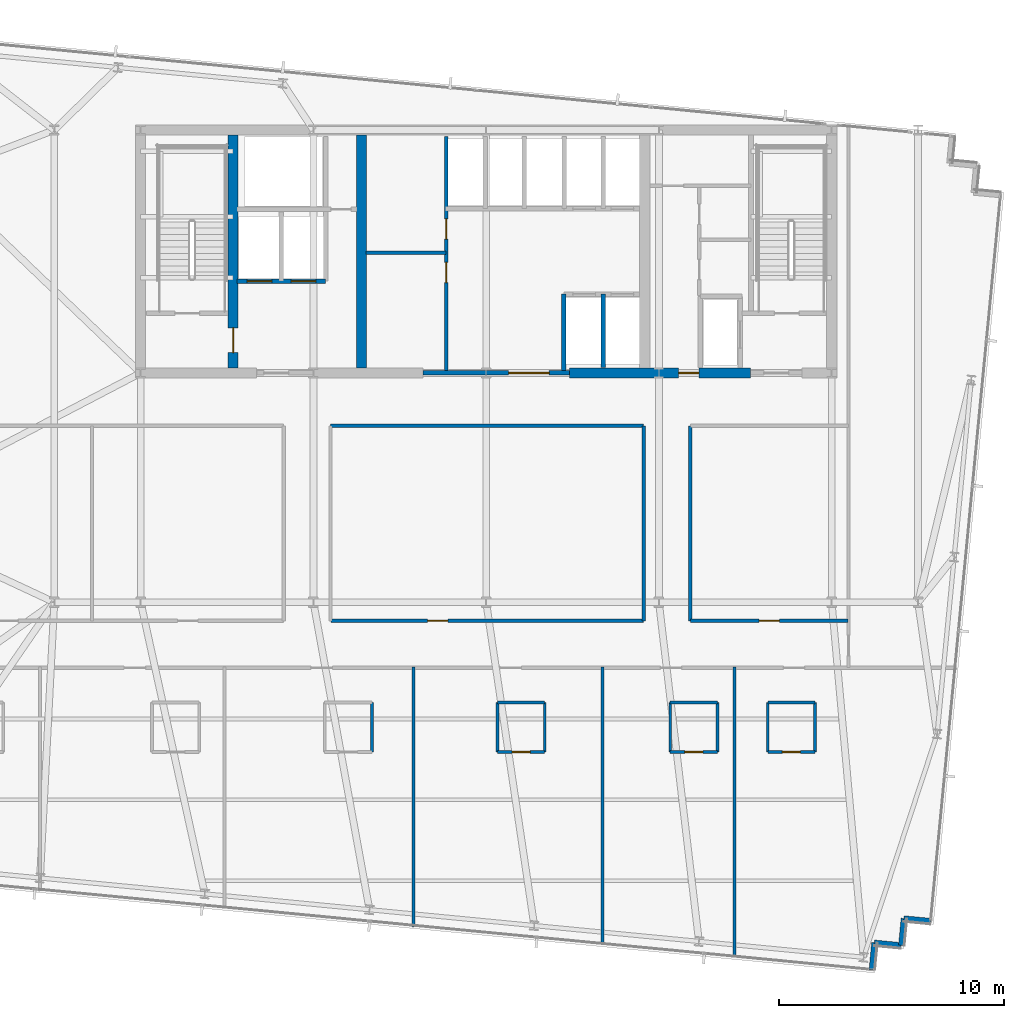
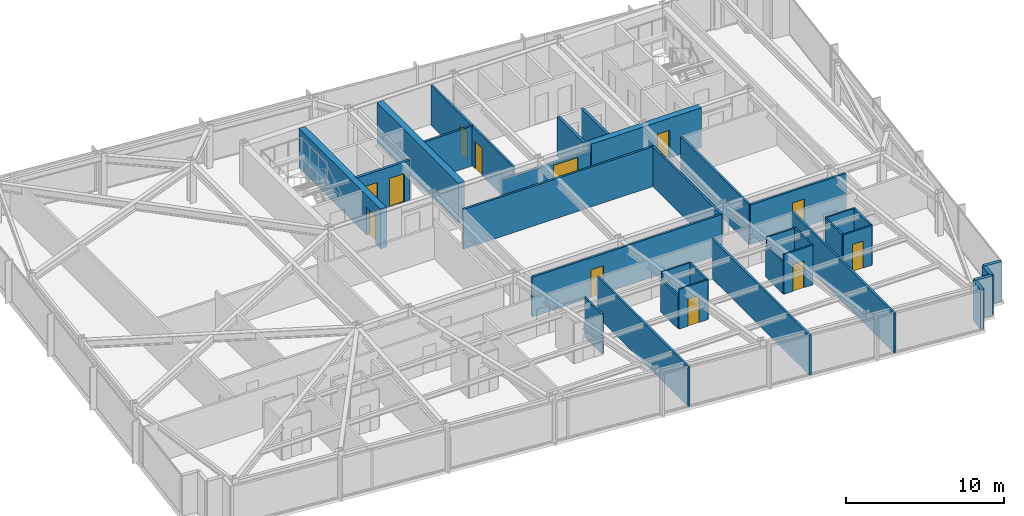
# One storey, part 30 of 37: 34 walls, 12 doors, 12 openings.
"""IFC4 building model written with IfcOpenShell, lengths in metres."""

from ifc_helpers import new_model, si_unit, direction, frame, frame_2d, origin, place, context, subcontext, project, spatial, rectangle, extrude, material, layer, layer_set, type_object, element, fill, save


model = new_model("IFC4")

# Units and contexts
model_context = context("Model", 3, precision=1e-05, world=origin(), true_north=direction((0.0, 1.0)))
body_context = subcontext(model_context, "Body", "Model", "MODEL_VIEW")
ifc_project = project(units=[si_unit("LENGTHUNIT", "METRE"), si_unit("AREAUNIT", "SQUARE_METRE"), si_unit("VOLUMEUNIT", "CUBIC_METRE"), si_unit("PLANEANGLEUNIT", "RADIAN"), si_unit("MASSUNIT", "GRAM", prefix="KILO")], contexts=[model_context])

# Site, building, storey
site_placement = place(None, origin())
site = spatial("IfcSite", under=ifc_project, at=site_placement, CompositionType="ELEMENT")
building_placement = place(site_placement, origin())
building = spatial("IfcBuilding", under=site, at=building_placement, Name="Yelkora Congress Tower", CompositionType="ELEMENT")
storey_placement = place(building_placement, frame((0.0, 0.0, 168.800048828125)))
storey = spatial("IfcBuildingStorey", under=building, at=storey_placement, Name="L46", CompositionType="ELEMENT", Elevation=168.800048828125)

# Wall, opening, door
ifc_material_1 = material(Name="Concrete C60/75", Category="concrete")
ifc_layer_1 = layer(ifc_material_1, 0.449951171875)
ifc_layer_set_1 = layer_set([ifc_layer_1], Name="Concrete C60/75")
wall_type_1 = type_object("IfcWallType", Name="WALL-CORE-INT-450", PredefinedType="SHEAR", material=ifc_layer_set_1)
wall_1_placement = place(storey_placement, frame((42.10009765625, 35.39990234375, 0.0), z_axis=(0.0, 0.0, 1.0), x_axis=(1.0, 0.0, 0.0)))
wall_1 = element("IfcWall", 1, at=wall_1_placement, inside=storey, type_object=wall_type_1, Name="L46 Rear Core South-East Shear Wall A", PredefinedType="SHEAR", context=body_context, shape_type="SweptSolid", body=[
    extrude(rectangle(XDim=8.0498046875, YDim=0.449951171875, at=frame_2d((4.02490234375, 0.0))), origin(), (0.0, 0.0, 1.0), 3.079833984375),
])
opening_1_placement = place(wall_1_placement, frame((4.85009765625, 0.0, 0.0)))
opening_1 = element("IfcOpeningElement", 2, at=opening_1_placement, cuts=wall_1, Name="Opening DR-090F6", PredefinedType="OPENING", context=body_context, shape_type="SweptSolid", body=[
    extrude(rectangle(XDim=0.89990234375, YDim=2.14990234375, at=frame_2d((0.449951171875, 1.074951171875))), frame((0.0, 0.23486328125, 0.0), z_axis=(0.0, -1.0, 0.0), x_axis=(1.0, 0.0, 0.0)), (0.0, 0.0, 1.0), 0.469970703125),
])
ifc_material_2 = material(Name="Painted steel riser fire door leaf", Category="steel")
door_type_1 = type_object("IfcDoorType", Name="DOOR-FD60-900", OperationType="NOTDEFINED", PredefinedType="DOOR", material=ifc_material_2)
door_1_placement = place(opening_1_placement, origin())
door_1 = element("IfcDoor", 3, at=door_1_placement, inside=storey, type_object=door_type_1, Name="L46 Core Washroom Lobby Door", OperationType="SINGLE_SWING_RIGHT", OverallHeight=2.14990234375, OverallWidth=0.89990234375, PredefinedType="DOOR", context=body_context, shape_type="SweptSolid", body=[
    extrude(rectangle(XDim=0.89990234375, YDim=2.14990234375, at=frame_2d((0.449951171875, 1.074951171875))), frame((0.0, 0.02490234375, 0.0), z_axis=(0.0, -1.0, 0.0), x_axis=(1.0, 0.0, 0.0)), (0.0, 0.0, 1.0), 0.050048828125),
])
fill(opening_1, door_1)

wall_2_placement = place(storey_placement, frame((27.14990234375, 35.625, 0.0), z_axis=(0.0, 0.0, 1.0), x_axis=(0.0, 1.0, 0.0)))
wall_2 = element("IfcWall", 4, at=wall_2_placement, inside=storey, type_object=wall_type_1, Name="L46 Rear Core Cross Shear Wall C1", PredefinedType="SHEAR", context=body_context, shape_type="SweptSolid", body=[
    extrude(rectangle(XDim=10.35009765625, YDim=0.449951171875, at=frame_2d((5.175048828125, 0.0))), origin(), (0.0, 0.0, 1.0), 3.079833984375),
])
opening_2_placement = place(wall_2_placement, frame((0.675048828125, 0.0, 0.0)))
opening_2 = element("IfcOpeningElement", 5, at=opening_2_placement, cuts=wall_2, Name="Opening DR-110F9", PredefinedType="OPENING", context=body_context, shape_type="SweptSolid", body=[
    extrude(rectangle(XDim=1.10009765625, YDim=2.14990234375, at=frame_2d((0.550048828125, 1.074951171875))), frame((0.0, 0.23486328125, 0.0), z_axis=(0.0, -1.0, 0.0), x_axis=(1.0, 0.0, 0.0)), (0.0, 0.0, 1.0), 0.469970703125),
])
ifc_material_3 = material(Name="Galvanised steel fire door leaf", Category="steel")
door_type_2 = type_object("IfcDoorType", Name="DOOR-FD90-1100", OperationType="NOTDEFINED", PredefinedType="DOOR", material=ifc_material_3)
door_2_placement = place(opening_2_placement, origin())
door_2 = element("IfcDoor", 6, at=door_2_placement, inside=storey, type_object=door_type_2, Name="L46 Firefighting Stair Transfer Door", OperationType="SINGLE_SWING_LEFT", OverallHeight=2.14990234375, OverallWidth=1.10009765625, PredefinedType="DOOR", context=body_context, shape_type="SweptSolid", body=[
    extrude(rectangle(XDim=1.10009765625, YDim=2.14990234375, at=frame_2d((0.550048828125, 1.074951171875))), frame((0.0, 0.02490234375, 0.0), z_axis=(0.0, -1.0, 0.0), x_axis=(1.0, 0.0, 0.0)), (0.0, 0.0, 1.0), 0.050048828125),
])
fill(opening_2, door_2)

# Walls
wall_3_placement = place(storey_placement, frame((32.85009765625, 35.625, 0.0), z_axis=(0.0, 0.0, 1.0), x_axis=(0.0, 1.0, 0.0)))
element("IfcWall", 7, at=wall_3_placement, inside=storey, type_object=wall_type_1, Name="L46 Rear Core Cross Shear Wall C2", PredefinedType="SHEAR", context=body_context, shape_type="SweptSolid", body=[
    extrude(rectangle(XDim=10.35009765625, YDim=0.449951171875, at=frame_2d((5.175048828125, 0.0))), origin(), (0.0, 0.0, 1.0), 3.079833984375),
])
ifc_material_4 = material(Name="Concrete C40/50", Category="concrete")
ifc_layer_2 = layer(ifc_material_4, 0.239990234375)
ifc_layer_set_2 = layer_set([ifc_layer_2], Name="Concrete C40/50")
wall_type_2 = type_object("IfcWallType", Name="WALL-EXT-LIMESTONE-240", PredefinedType="SOLIDWALL", material=ifc_layer_set_2)
wall_4_placement = place(storey_placement, frame((58.160400390625, 11.033203125, 0.0), z_axis=(0.0, 0.0, 1.0), x_axis=(-0.995398960025, 0.095817067274, 0.0)))
element("IfcWall", 8, at=wall_4_placement, inside=storey, type_object=wall_type_2, Name="L46 Serrated Corner Limestone Pier 16", PredefinedType="SOLIDWALL", context=body_context, shape_type="SweptSolid", body=[
    extrude(rectangle(XDim=1.2001953125, YDim=0.239990234375, at=frame_2d((0.60009765625, 0.0))), origin(), (0.0, 0.0, 1.0), 3.079833984375),
])
for number, where, z_axis, x_axis, name in (
    (9, (56.9658203125, 11.148193359375, 0.0), (0.0, 0.0, 1.0), (-0.095836473879, -0.995397091755, 0.0), "L46 Serrated Corner Limestone Pier 17"),
    (10, (56.850830078125, 9.953857421875, 0.0), (0.0, 0.0, 1.0), (-0.995397091755, 0.095836473879, 0.0), "L46 Serrated Corner Limestone Pier 18"),
):
    element("IfcWall", number, at=place(storey_placement, frame(where, z_axis=z_axis, x_axis=x_axis)), inside=storey, type_object=wall_type_2, Name=name, PredefinedType="SOLIDWALL", context=body_context, shape_type="SweptSolid", body=[
        extrude(rectangle(XDim=1.199951171875, YDim=0.239990234375, at=frame_2d((0.60009765625, 0.0))), origin(), (0.0, 0.0, 1.0), 3.079833984375),
    ])
wall_5_placement = place(storey_placement, frame((55.656494140625, 10.06884765625, 0.0), z_axis=(0.0, 0.0, 1.0), x_axis=(-0.095817067274, -0.995398960025, 0.0)))
element("IfcWall", 11, at=wall_5_placement, inside=storey, type_object=wall_type_2, Name="L46 Serrated Corner Limestone Pier 19", PredefinedType="SOLIDWALL", context=body_context, shape_type="SweptSolid", body=[
    extrude(rectangle(XDim=1.2001953125, YDim=0.239990234375, at=frame_2d((0.60009765625, 0.0))), origin(), (0.0, 0.0, 1.0), 3.079833984375),
])
ifc_material_5 = material(Name="Moisture-resistant gypsum partition", Category="gypsum")
ifc_layer_3 = layer(ifc_material_5, 0.1201171875)
ifc_layer_set_3 = layer_set([ifc_layer_3], Name="Moisture-resistant gypsum partition")
wall_type_3 = type_object("IfcWallType", Name="WALL-INT-120-NR", PredefinedType="PARTITIONING", material=ifc_layer_set_3)
wall_6_placement = place(storey_placement, frame((33.320068359375, 18.550048828125, 0.0), z_axis=(0.0, 0.0, 1.0), x_axis=(0.0, 1.0, 0.0)))
element("IfcWall", 12, at=wall_6_placement, inside=storey, type_object=wall_type_3, Name="L46 Partition Wall 43", PredefinedType="PARTITIONING", context=body_context, shape_type="SweptSolid", body=[
    extrude(rectangle(XDim=2.199951171875, YDim=0.1201171875, at=frame_2d((1.10009765625, 0.0))), origin(), (0.0, 0.0, 1.0), 3.079833984375),
])
wall_7_placement = place(storey_placement, frame((38.89990234375, 20.75, 0.0), z_axis=(0.0, 0.0, 1.0), x_axis=(1.0, 0.0, 0.0)))
element("IfcWall", 13, at=wall_7_placement, inside=storey, type_object=wall_type_3, Name="L46 Partition Wall 46", PredefinedType="PARTITIONING", context=body_context, shape_type="SweptSolid", body=[
    extrude(rectangle(XDim=2.10009765625, YDim=0.1201171875, at=frame_2d((1.050048828125, 0.0))), origin(), (0.0, 0.0, 1.0), 3.079833984375),
])
wall_8_placement = place(storey_placement, frame((38.89990234375, 18.550048828125, 0.0), z_axis=(0.0, 0.0, 1.0), x_axis=(0.0, 1.0, 0.0)))
element("IfcWall", 14, at=wall_8_placement, inside=storey, type_object=wall_type_3, Name="L46 Partition Wall 47", PredefinedType="PARTITIONING", context=body_context, shape_type="SweptSolid", body=[
    extrude(rectangle(XDim=2.199951171875, YDim=0.1201171875, at=frame_2d((1.10009765625, 0.0))), origin(), (0.0, 0.0, 1.0), 2.474853515625),
])
wall_9_placement = place(storey_placement, frame((41.0, 18.550048828125, 0.0), z_axis=(0.0, 0.0, 1.0), x_axis=(0.0, 1.0, 0.0)))
element("IfcWall", 15, at=wall_9_placement, inside=storey, type_object=wall_type_3, Name="L46 Partition Wall 48", PredefinedType="PARTITIONING", context=body_context, shape_type="SweptSolid", body=[
    extrude(rectangle(XDim=2.199951171875, YDim=0.1201171875, at=frame_2d((1.10009765625, 0.0))), origin(), (0.0, 0.0, 1.0), 3.079833984375),
])

# Wall, opening, door
wall_10_placement = place(storey_placement, frame((38.89990234375, 18.550048828125, 0.0), z_axis=(0.0, 0.0, 1.0), x_axis=(1.0, 0.0, 0.0)))
wall_10 = element("IfcWall", 16, at=wall_10_placement, inside=storey, type_object=wall_type_3, Name="L46 Partition Wall 49", PredefinedType="PARTITIONING", context=body_context, shape_type="SweptSolid", body=[
    extrude(rectangle(XDim=2.10009765625, YDim=0.1201171875, at=frame_2d((1.050048828125, 0.0))), origin(), (0.0, 0.0, 1.0), 3.079833984375),
])
opening_3_placement = place(wall_10_placement, frame((0.64990234375, 0.0, 0.0)))
opening_3 = element("IfcOpeningElement", 17, at=opening_3_placement, cuts=wall_10, Name="Opening DR-080B", PredefinedType="OPENING", context=body_context, shape_type="SweptSolid", body=[
    extrude(rectangle(XDim=0.800048828125, YDim=2.10009765625, at=frame_2d((0.39990234375, 1.050048828125))), frame((0.0, 0.070068359375, 0.0), z_axis=(0.0, -1.0, 0.0), x_axis=(1.0, 0.0, 0.0)), (0.0, 0.0, 1.0), 0.14013671875),
])
ifc_material_6 = material(Name="Moisture-sealed en-suite timber door", Category="wood")
door_type_3 = type_object("IfcDoorType", Name="DOOR-BATH-800", OperationType="NOTDEFINED", PredefinedType="DOOR", material=ifc_material_6)
door_3_placement = place(opening_3_placement, origin())
door_3 = element("IfcDoor", 18, at=door_3_placement, inside=storey, type_object=door_type_3, Name="L46 En-suite Door 5", OperationType="SINGLE_SWING_LEFT", OverallHeight=2.10009765625, OverallWidth=0.800048828125, PredefinedType="DOOR", context=body_context, shape_type="SweptSolid", body=[
    extrude(rectangle(XDim=0.800048828125, YDim=2.10009765625, at=frame_2d((0.39990234375, 1.050048828125))), frame((0.0, 0.02490234375, 0.0), z_axis=(0.0, -1.0, 0.0), x_axis=(1.0, 0.0, 0.0)), (0.0, 0.0, 1.0), 0.050048828125),
])
fill(opening_3, door_3)

# Walls
wall_11_placement = place(storey_placement, frame((46.580078125, 20.75, 0.0), z_axis=(0.0, 0.0, 1.0), x_axis=(1.0, 0.0, 0.0)))
element("IfcWall", 19, at=wall_11_placement, inside=storey, type_object=wall_type_3, Name="L46 Partition Wall 51", PredefinedType="PARTITIONING", context=body_context, shape_type="SweptSolid", body=[
    extrude(rectangle(XDim=2.099853515625, YDim=0.1201171875, at=frame_2d((1.0498046875, 0.0))), origin(), (0.0, 0.0, 1.0), 3.079833984375),
])
wall_12_placement = place(storey_placement, frame((46.580078125, 18.550048828125, 0.0), z_axis=(0.0, 0.0, 1.0), x_axis=(0.0, 1.0, 0.0)))
element("IfcWall", 20, at=wall_12_placement, inside=storey, type_object=wall_type_3, Name="L46 Partition Wall 52", PredefinedType="PARTITIONING", context=body_context, shape_type="SweptSolid", body=[
    extrude(rectangle(XDim=2.199951171875, YDim=0.1201171875, at=frame_2d((1.10009765625, 0.0))), origin(), (0.0, 0.0, 1.0), 2.474853515625),
])
wall_13_placement = place(storey_placement, frame((48.679931640625, 18.550048828125, 0.0), z_axis=(0.0, 0.0, 1.0), x_axis=(0.0, 1.0, 0.0)))
element("IfcWall", 21, at=wall_13_placement, inside=storey, type_object=wall_type_3, Name="L46 Partition Wall 53", PredefinedType="PARTITIONING", context=body_context, shape_type="SweptSolid", body=[
    extrude(rectangle(XDim=2.199951171875, YDim=0.1201171875, at=frame_2d((1.10009765625, 0.0))), origin(), (0.0, 0.0, 1.0), 3.079833984375),
])

# Wall, opening, door
wall_14_placement = place(storey_placement, frame((46.580078125, 18.550048828125, 0.0), z_axis=(0.0, 0.0, 1.0), x_axis=(1.0, 0.0, 0.0)))
wall_14 = element("IfcWall", 22, at=wall_14_placement, inside=storey, type_object=wall_type_3, Name="L46 Partition Wall 54", PredefinedType="PARTITIONING", context=body_context, shape_type="SweptSolid", body=[
    extrude(rectangle(XDim=2.099853515625, YDim=0.1201171875, at=frame_2d((1.0498046875, 0.0))), origin(), (0.0, 0.0, 1.0), 3.079833984375),
])
opening_4_placement = place(wall_14_placement, frame((0.64990234375, 0.0, 0.0)))
opening_4 = element("IfcOpeningElement", 23, at=opening_4_placement, cuts=wall_14, Name="Opening DR-080B", PredefinedType="OPENING", context=body_context, shape_type="SweptSolid", body=[
    extrude(rectangle(XDim=0.800048828125, YDim=2.10009765625, at=frame_2d((0.39990234375, 1.050048828125))), frame((0.0, 0.070068359375, 0.0), z_axis=(0.0, -1.0, 0.0), x_axis=(1.0, 0.0, 0.0)), (0.0, 0.0, 1.0), 0.14013671875),
])
door_4_placement = place(opening_4_placement, origin())
door_4 = element("IfcDoor", 24, at=door_4_placement, inside=storey, type_object=door_type_3, Name="L46 En-suite Door 6", OperationType="SINGLE_SWING_RIGHT", OverallHeight=2.10009765625, OverallWidth=0.800048828125, PredefinedType="DOOR", context=body_context, shape_type="SweptSolid", body=[
    extrude(rectangle(XDim=0.800048828125, YDim=2.10009765625, at=frame_2d((0.39990234375, 1.050048828125))), frame((0.0, 0.02490234375, 0.0), z_axis=(0.0, -1.0, 0.0), x_axis=(1.0, 0.0, 0.0)), (0.0, 0.0, 1.0), 0.050048828125),
])
fill(opening_4, door_4)

# Walls
wall_15_placement = place(storey_placement, frame((50.922119140625, 20.75, 0.0), z_axis=(0.0, 0.0, 1.0), x_axis=(1.0, 0.0, 0.0)))
element("IfcWall", 25, at=wall_15_placement, inside=storey, type_object=wall_type_3, Name="L46 Partition Wall 56", PredefinedType="PARTITIONING", context=body_context, shape_type="SweptSolid", body=[
    extrude(rectangle(XDim=2.099853515625, YDim=0.1201171875, at=frame_2d((1.0498046875, 0.0))), origin(), (0.0, 0.0, 1.0), 3.079833984375),
])
for number, where, z_axis, x_axis, name in (
    (26, (50.922119140625, 18.550048828125, 0.0), (0.0, 0.0, 1.0), (0.0, 1.0, 0.0), "L46 Partition Wall 57"),
    (27, (53.02197265625, 18.550048828125, 0.0), (0.0, 0.0, 1.0), (0.0, 1.0, 0.0), "L46 Partition Wall 58"),
):
    element("IfcWall", number, at=place(storey_placement, frame(where, z_axis=z_axis, x_axis=x_axis)), inside=storey, type_object=wall_type_3, Name=name, PredefinedType="PARTITIONING", context=body_context, shape_type="SweptSolid", body=[
        extrude(rectangle(XDim=2.199951171875, YDim=0.1201171875, at=frame_2d((1.10009765625, 0.0))), origin(), (0.0, 0.0, 1.0), 3.079833984375),
    ])

# Wall, opening, door
wall_16_placement = place(storey_placement, frame((50.922119140625, 18.550048828125, 0.0), z_axis=(0.0, 0.0, 1.0), x_axis=(1.0, 0.0, 0.0)))
wall_16 = element("IfcWall", 28, at=wall_16_placement, inside=storey, type_object=wall_type_3, Name="L46 Partition Wall 59", PredefinedType="PARTITIONING", context=body_context, shape_type="SweptSolid", body=[
    extrude(rectangle(XDim=2.099853515625, YDim=0.1201171875, at=frame_2d((1.0498046875, 0.0))), origin(), (0.0, 0.0, 1.0), 3.079833984375),
])
opening_5_placement = place(wall_16_placement, frame((0.64990234375, 0.0, 0.0)))
opening_5 = element("IfcOpeningElement", 29, at=opening_5_placement, cuts=wall_16, Name="Opening DR-080B", PredefinedType="OPENING", context=body_context, shape_type="SweptSolid", body=[
    extrude(rectangle(XDim=0.800048828125, YDim=2.10009765625, at=frame_2d((0.39990234375, 1.050048828125))), frame((0.0, 0.070068359375, 0.0), z_axis=(0.0, -1.0, 0.0), x_axis=(1.0, 0.0, 0.0)), (0.0, 0.0, 1.0), 0.14013671875),
])
door_5_placement = place(opening_5_placement, origin())
door_5 = element("IfcDoor", 30, at=door_5_placement, inside=storey, type_object=door_type_3, Name="L46 En-suite Door 7", OperationType="SINGLE_SWING_LEFT", OverallHeight=2.10009765625, OverallWidth=0.800048828125, PredefinedType="DOOR", context=body_context, shape_type="SweptSolid", body=[
    extrude(rectangle(XDim=0.800048828125, YDim=2.10009765625, at=frame_2d((0.39990234375, 1.050048828125))), frame((0.0, 0.02490234375, 0.0), z_axis=(0.0, -1.0, 0.0), x_axis=(1.0, 0.0, 0.0)), (0.0, 0.0, 1.0), 0.050048828125),
])
fill(opening_5, door_5)

# Walls
ifc_material_7 = material(Name="Acoustic metal-stud gypsum partition", Category="gypsum")
ifc_layer_4 = layer(ifc_material_7, 0.14990234375)
ifc_layer_set_4 = layer_set([ifc_layer_4], Name="Acoustic metal-stud gypsum partition")
wall_type_4 = type_object("IfcWallType", Name="WALL-INT-150-NR", PredefinedType="PARTITIONING", material=ifc_layer_set_4)
for number, where, z_axis, x_axis, name in (
    (31, (45.39990234375, 24.3798828125, 0.0), (0.0, 0.0, 1.0), (0.0, 1.0, 0.0), "L46 Partition Wall 66"),
    (32, (47.47998046875, 24.3798828125, 0.0), (0.0, 0.0, 1.0), (0.0, 1.0, 0.0), "L46 Partition Wall 67"),
):
    element("IfcWall", number, at=place(storey_placement, frame(where, z_axis=z_axis, x_axis=x_axis)), inside=storey, type_object=wall_type_4, Name=name, PredefinedType="PARTITIONING", context=body_context, shape_type="SweptSolid", body=[
        extrude(rectangle(XDim=8.670166015625, YDim=0.14990234375, at=frame_2d((4.3349609375, 0.0))), origin(), (0.0, 0.0, 1.0), 3.079833984375),
    ])
wall_17_placement = place(storey_placement, frame((31.47998046875, 33.050048828125, 0.0), z_axis=(0.0, 0.0, 1.0), x_axis=(1.0, 0.0, 0.0)))
element("IfcWall", 33, at=wall_17_placement, inside=storey, type_object=wall_type_4, Name="L46 Partition Wall 69", PredefinedType="PARTITIONING", context=body_context, shape_type="SweptSolid", body=[
    extrude(rectangle(XDim=13.919921875, YDim=0.14990234375, at=frame_2d((6.9599609375, 0.0))), origin(), (0.0, 0.0, 1.0), 3.079833984375),
])

# Wall, opening, door
wall_18_placement = place(storey_placement, frame((31.489990234375, 24.3798828125, 0.0), z_axis=(0.0, 0.0, 1.0), x_axis=(1.0, 0.0, 0.0)))
wall_18 = element("IfcWall", 34, at=wall_18_placement, inside=storey, type_object=wall_type_4, Name="L46 Partition Wall 74", PredefinedType="PARTITIONING", context=body_context, shape_type="SweptSolid", body=[
    extrude(rectangle(XDim=13.89990234375, YDim=0.14990234375, at=frame_2d((6.949951171875, 0.0))), origin(), (0.0, 0.0, 1.0), 3.079833984375),
])
opening_6_placement = place(wall_18_placement, frame((4.306396484375, 0.0, 0.0)))
opening_6 = element("IfcOpeningElement", 35, at=opening_6_placement, cuts=wall_18, Name="Opening DR-090N", PredefinedType="OPENING", context=body_context, shape_type="SweptSolid", body=[
    extrude(rectangle(XDim=0.89990234375, YDim=2.14990234375, at=frame_2d((0.449951171875, 1.074951171875))), frame((0.0, 0.0849609375, 0.0), z_axis=(0.0, -1.0, 0.0), x_axis=(1.0, 0.0, 0.0)), (0.0, 0.0, 1.0), 0.169921875),
])
ifc_material_8 = material(Name="Moisture-resistant laminate door leaf", Category="wood")
door_type_4 = type_object("IfcDoorType", Name="DOOR-INT-900", OperationType="NOTDEFINED", PredefinedType="DOOR", material=ifc_material_8)
door_6_placement = place(opening_6_placement, origin())
door_6 = element("IfcDoor", 36, at=door_6_placement, inside=storey, type_object=door_type_4, Name="L46 Diplomatic Day Lounge Door", OperationType="SINGLE_SWING_RIGHT", OverallHeight=2.14990234375, OverallWidth=0.89990234375, PredefinedType="DOOR", context=body_context, shape_type="SweptSolid", body=[
    extrude(rectangle(XDim=0.89990234375, YDim=2.14990234375, at=frame_2d((0.449951171875, 1.074951171875))), frame((0.0, 0.02490234375, 0.0), z_axis=(0.0, -1.0, 0.0), x_axis=(1.0, 0.0, 0.0)), (0.0, 0.0, 1.0), 0.050048828125),
])
fill(opening_6, door_6)

wall_19_placement = place(storey_placement, frame((47.489990234375, 24.3798828125, 0.0), z_axis=(0.0, 0.0, 1.0), x_axis=(1.0, 0.0, 0.0)))
wall_19 = element("IfcWall", 37, at=wall_19_placement, inside=storey, type_object=wall_type_4, Name="L46 Partition Wall 75", PredefinedType="PARTITIONING", context=body_context, shape_type="SweptSolid", body=[
    extrude(rectangle(XDim=6.99609375, YDim=0.14990234375, at=frame_2d((3.498046875, 0.0))), origin(), (0.0, 0.0, 1.0), 3.079833984375),
])
opening_7_placement = place(wall_19_placement, frame((3.048095703125, 0.0, 0.0)))
opening_7 = element("IfcOpeningElement", 38, at=opening_7_placement, cuts=wall_19, Name="Opening DR-090N", PredefinedType="OPENING", context=body_context, shape_type="SweptSolid", body=[
    extrude(rectangle(XDim=0.89990234375, YDim=2.14990234375, at=frame_2d((0.449951171875, 1.074951171875))), frame((0.0, 0.0849609375, 0.0), z_axis=(0.0, -1.0, 0.0), x_axis=(1.0, 0.0, 0.0)), (0.0, 0.0, 1.0), 0.169921875),
])
door_7_placement = place(opening_7_placement, origin())
door_7 = element("IfcDoor", 39, at=door_7_placement, inside=storey, type_object=door_type_4, Name="L46 First-Aid Treatment Room Door", OperationType="SINGLE_SWING_LEFT", OverallHeight=2.14990234375, OverallWidth=0.89990234375, PredefinedType="DOOR", context=body_context, shape_type="SweptSolid", body=[
    extrude(rectangle(XDim=0.89990234375, YDim=2.14990234375, at=frame_2d((0.449951171875, 1.074951171875))), frame((0.0, 0.02490234375, 0.0), z_axis=(0.0, -1.0, 0.0), x_axis=(1.0, 0.0, 0.0)), (0.0, 0.0, 1.0), 0.050048828125),
])
fill(opening_7, door_7)

# Wall
ifc_material_9 = material(Name="Twin-stud fire-rated gypsum partition", Category="gypsum")
ifc_layer_5 = layer(ifc_material_9, 0.14990234375)
ifc_layer_set_5 = layer_set([ifc_layer_5], Name="Twin-stud fire-rated gypsum partition")
wall_type_5 = type_object("IfcWallType", Name="WALL-INT-150-R60", PredefinedType="PARTITIONING", material=ifc_layer_set_5)
wall_20_placement = place(storey_placement, frame((33.050048828125, 40.75, 0.0), z_axis=(0.0, 0.0, 1.0), x_axis=(1.0, 0.0, 0.0)))
element("IfcWall", 40, at=wall_20_placement, inside=storey, type_object=wall_type_5, Name="L46 Partition Wall 11", PredefinedType="PARTITIONING", context=body_context, shape_type="SweptSolid", body=[
    extrude(rectangle(XDim=3.570068359375, YDim=0.14990234375, at=frame_2d((1.78515625, 0.0))), origin(), (0.0, 0.0, 1.0), 3.079833984375),
])

# Wall, openings, doors
wall_21_placement = place(storey_placement, frame((36.6201171875, 35.5, 0.0), z_axis=(0.0, 0.0, 1.0), x_axis=(0.0, 1.0, 0.0)))
wall_21 = element("IfcWall", 41, at=wall_21_placement, inside=storey, type_object=wall_type_5, Name="L46 Partition Wall 12", PredefinedType="PARTITIONING", context=body_context, shape_type="SweptSolid", body=[
    extrude(rectangle(XDim=10.419921875, YDim=0.14990234375, at=frame_2d((5.2099609375, 0.0))), origin(), (0.0, 0.0, 1.0), 3.079833984375),
])
opening_8_placement = place(wall_21_placement, frame((3.919921875, 0.0, 0.0)))
opening_8 = element("IfcOpeningElement", 42, at=opening_8_placement, cuts=wall_21, Name="Opening DR-090F6", PredefinedType="OPENING", context=body_context, shape_type="SweptSolid", body=[
    extrude(rectangle(XDim=0.89990234375, YDim=2.14990234375, at=frame_2d((0.449951171875, 1.074951171875))), frame((0.0, 0.0849609375, 0.0), z_axis=(0.0, -1.0, 0.0), x_axis=(1.0, 0.0, 0.0)), (0.0, 0.0, 1.0), 0.169921875),
])
opening_9_placement = place(wall_21_placement, frame((5.85009765625, 0.0, 0.0)))
opening_9 = element("IfcOpeningElement", 43, at=opening_9_placement, cuts=wall_21, Name="Opening DR-090F6", PredefinedType="OPENING", context=body_context, shape_type="SweptSolid", body=[
    extrude(rectangle(XDim=0.89990234375, YDim=2.14990234375, at=frame_2d((0.449951171875, 1.074951171875))), frame((0.0, 0.0849609375, 0.0), z_axis=(0.0, -1.0, 0.0), x_axis=(1.0, 0.0, 0.0)), (0.0, 0.0, 1.0), 0.169921875),
])
door_8_placement = place(opening_8_placement, origin())
door_8 = element("IfcDoor", 44, at=door_8_placement, inside=storey, type_object=door_type_1, Name="L46 Telecom Store Door", OperationType="SINGLE_SWING_LEFT", OverallHeight=2.14990234375, OverallWidth=0.89990234375, PredefinedType="DOOR", context=body_context, shape_type="SweptSolid", body=[
    extrude(rectangle(XDim=0.89990234375, YDim=2.14990234375, at=frame_2d((0.449951171875, 1.074951171875))), frame((0.0, 0.02490234375, 0.0), z_axis=(0.0, -1.0, 0.0), x_axis=(1.0, 0.0, 0.0)), (0.0, 0.0, 1.0), 0.050048828125),
])
fill(opening_8, door_8)
door_9_placement = place(opening_9_placement, origin())
door_9 = element("IfcDoor", 45, at=door_9_placement, inside=storey, type_object=door_type_1, Name="L46 Archive Store Door", OperationType="SINGLE_SWING_RIGHT", OverallHeight=2.14990234375, OverallWidth=0.89990234375, PredefinedType="DOOR", context=body_context, shape_type="SweptSolid", body=[
    extrude(rectangle(XDim=0.89990234375, YDim=2.14990234375, at=frame_2d((0.449951171875, 1.074951171875))), frame((0.0, 0.02490234375, 0.0), z_axis=(0.0, -1.0, 0.0), x_axis=(1.0, 0.0, 0.0)), (0.0, 0.0, 1.0), 0.050048828125),
])
fill(opening_9, door_9)

# Walls
wall_22_placement = place(storey_placement, frame((35.1689453125, 10.775634765625, 0.0), z_axis=(0.0, 0.0, 1.0), x_axis=(0.0, 1.0, 0.0)))
element("IfcWall", 46, at=wall_22_placement, inside=storey, type_object=wall_type_5, Name="L46 Partition Wall 50", PredefinedType="PARTITIONING", context=body_context, shape_type="SweptSolid", body=[
    extrude(rectangle(XDim=11.54443359375, YDim=0.14990234375, at=frame_2d((5.772216796875, 0.0))), origin(), (0.0, 0.0, 1.0), 3.079833984375),
])
wall_23_placement = place(storey_placement, frame((43.570068359375, 9.966796875, 0.0), z_axis=(0.0, 0.0, 1.0), x_axis=(0.0, 1.0, 0.0)))
element("IfcWall", 47, at=wall_23_placement, inside=storey, type_object=wall_type_5, Name="L46 Partition Wall 55", PredefinedType="PARTITIONING", context=body_context, shape_type="SweptSolid", body=[
    extrude(rectangle(XDim=12.353271484375, YDim=0.14990234375, at=frame_2d((6.1767578125, 0.0))), origin(), (0.0, 0.0, 1.0), 3.079833984375),
])
wall_24_placement = place(storey_placement, frame((49.43798828125, 9.401611328125, 0.0), z_axis=(0.0, 0.0, 1.0), x_axis=(0.0, 1.0, 0.0)))
element("IfcWall", 48, at=wall_24_placement, inside=storey, type_object=wall_type_5, Name="L46 Partition Wall 60", PredefinedType="PARTITIONING", context=body_context, shape_type="SweptSolid", body=[
    extrude(rectangle(XDim=12.91845703125, YDim=0.14990234375, at=frame_2d((6.459228515625, 0.0))), origin(), (0.0, 0.0, 1.0), 3.079833984375),
])

# Wall, openings, doors
ifc_material_10 = material(Name="Autoclaved aerated concrete blockwork", Category="masonry")
ifc_layer_6 = layer(ifc_material_10, 0.199951171875)
ifc_layer_set_6 = layer_set([ifc_layer_6], Name="Autoclaved aerated concrete blockwork")
wall_type_6 = type_object("IfcWallType", Name="WALL-INT-200-R120", PredefinedType="PARTITIONING", material=ifc_layer_set_6)
wall_25_placement = place(storey_placement, frame((27.320068359375, 39.47998046875, 0.0), z_axis=(0.0, 0.0, 1.0), x_axis=(1.0, 0.0, 0.0)))
wall_25 = element("IfcWall", 49, at=wall_25_placement, inside=storey, type_object=wall_type_6, Name="L46 Firefighting Lift Front Wall", PredefinedType="PARTITIONING", context=body_context, shape_type="SweptSolid", body=[
    extrude(rectangle(XDim=3.93994140625, YDim=0.199951171875, at=frame_2d((1.969970703125, 0.0))), origin(), (0.0, 0.0, 1.0), 3.079833984375),
])
opening_10_placement = place(wall_25_placement, frame((0.449951171875, 0.0, 0.0)))
opening_10 = element("IfcOpeningElement", 50, at=opening_10_placement, cuts=wall_25, Name="Opening LD-FF11", PredefinedType="OPENING", context=body_context, shape_type="SweptSolid", body=[
    extrude(rectangle(XDim=1.10009765625, YDim=2.199951171875, at=frame_2d((0.550048828125, 1.10009765625))), frame((0.0, 0.10986328125, 0.0), z_axis=(0.0, -1.0, 0.0), x_axis=(1.0, 0.0, 0.0)), (0.0, 0.0, 1.0), 0.219970703125),
])
opening_11_placement = place(wall_25_placement, frame((2.409912109375, 0.0, 0.0)))
opening_11 = element("IfcOpeningElement", 51, at=opening_11_placement, cuts=wall_25, Name="Opening LD-FF11", PredefinedType="OPENING", context=body_context, shape_type="SweptSolid", body=[
    extrude(rectangle(XDim=1.10009765625, YDim=2.199951171875, at=frame_2d((0.550048828125, 1.10009765625))), frame((0.0, 0.10986328125, 0.0), z_axis=(0.0, -1.0, 0.0), x_axis=(1.0, 0.0, 0.0)), (0.0, 0.0, 1.0), 0.219970703125),
])
ifc_material_11 = material(Name="Brushed stainless steel 316L landing door", Category="steel")
door_type_5 = type_object("IfcDoorType", Name="DOOR-LIFT-FF-1100", OperationType="DOUBLE_DOOR_SLIDING", PredefinedType="DOOR", material=ifc_material_11)
door_10_placement = place(opening_10_placement, origin())
door_10 = element("IfcDoor", 52, at=door_10_placement, inside=storey, type_object=door_type_5, Name="Lift Landing Door LF-FF1 L46", OperationType="DOUBLE_DOOR_SLIDING", OverallHeight=2.199951171875, OverallWidth=1.10009765625, PredefinedType="DOOR", context=body_context, shape_type="SweptSolid", body=[
    extrude(rectangle(XDim=1.10009765625, YDim=2.199951171875, at=frame_2d((0.550048828125, 1.10009765625))), frame((0.0, 0.02490234375, 0.0), z_axis=(0.0, -1.0, 0.0), x_axis=(1.0, 0.0, 0.0)), (0.0, 0.0, 1.0), 0.050048828125),
])
fill(opening_10, door_10)
door_11_placement = place(opening_11_placement, origin())
door_11 = element("IfcDoor", 53, at=door_11_placement, inside=storey, type_object=door_type_5, Name="Lift Landing Door LF-FF2 L46", OperationType="DOUBLE_DOOR_SLIDING", OverallHeight=2.199951171875, OverallWidth=1.10009765625, PredefinedType="DOOR", context=body_context, shape_type="SweptSolid", body=[
    extrude(rectangle(XDim=1.10009765625, YDim=2.199951171875, at=frame_2d((0.550048828125, 1.10009765625))), frame((0.0, 0.02490234375, 0.0), z_axis=(0.0, -1.0, 0.0), x_axis=(1.0, 0.0, 0.0)), (0.0, 0.0, 1.0), 0.050048828125),
])
fill(opening_11, door_11)

# Wall, opening, door
wall_26_placement = place(storey_placement, frame((35.60009765625, 35.39990234375, 0.0), z_axis=(0.0, 0.0, 1.0), x_axis=(1.0, 0.0, 0.0)))
wall_26 = element("IfcWall", 54, at=wall_26_placement, inside=storey, type_object=wall_type_6, Name="L46 Main Lift Lobby South Portal Wall", PredefinedType="PARTITIONING", context=body_context, shape_type="SweptSolid", body=[
    extrude(rectangle(XDim=6.5, YDim=0.199951171875, at=frame_2d((3.25, 0.0))), origin(), (0.0, 0.0, 1.0), 2.474853515625),
])
opening_12_placement = place(wall_26_placement, frame((3.800048828125, 0.0, 0.0)))
opening_12 = element("IfcOpeningElement", 55, at=opening_12_placement, cuts=wall_26, Name="Opening DR-180D", PredefinedType="OPENING", context=body_context, shape_type="SweptSolid", body=[
    extrude(rectangle(XDim=1.800048828125, YDim=2.300048828125, at=frame_2d((0.89990234375, 1.14990234375))), frame((0.0, 0.10986328125, 0.0), z_axis=(0.0, -1.0, 0.0), x_axis=(1.0, 0.0, 0.0)), (0.0, 0.0, 1.0), 0.219970703125),
])
ifc_material_12 = material(Name="Acoustic double congress hall doors", Category="wood")
door_type_6 = type_object("IfcDoorType", Name="DOOR-DBL-1800", OperationType="DOUBLE_DOOR_SINGLE_SWING", PredefinedType="DOOR", material=ifc_material_12)
door_12_placement = place(opening_12_placement, origin())
door_12 = element("IfcDoor", 56, at=door_12_placement, inside=storey, type_object=door_type_6, Name="L46 Main Lift Lobby Portal Door", OperationType="DOUBLE_DOOR_SINGLE_SWING", OverallHeight=2.300048828125, OverallWidth=1.800048828125, PredefinedType="DOOR", context=body_context, shape_type="SweptSolid", body=[
    extrude(rectangle(XDim=1.800048828125, YDim=2.300048828125, at=frame_2d((0.89990234375, 1.14990234375))), frame((0.0, 0.02490234375, 0.0), z_axis=(0.0, -1.0, 0.0), x_axis=(1.0, 0.0, 0.0)), (0.0, 0.0, 1.0), 0.050048828125),
])
fill(opening_12, door_12)

# Walls
wall_27_placement = place(storey_placement, frame((43.60009765625, 35.64990234375, 0.0), z_axis=(0.0, 0.0, 1.0), x_axis=(0.0, 1.0, 0.0)))
element("IfcWall", 57, at=wall_27_placement, inside=storey, type_object=wall_type_6, Name="L46 Partition Wall 15", PredefinedType="PARTITIONING", context=body_context, shape_type="SweptSolid", body=[
    extrude(rectangle(XDim=3.25, YDim=0.199951171875, at=frame_2d((1.625, 0.0))), origin(), (0.0, 0.0, 1.0), 3.079833984375),
])
wall_28_placement = place(storey_placement, frame((41.85009765625, 35.5, 0.0), z_axis=(0.0, 0.0, 1.0), x_axis=(0.0, 1.0, 0.0)))
element("IfcWall", 58, at=wall_28_placement, inside=storey, type_object=wall_type_6, Name="L46 Partition Wall 17", PredefinedType="PARTITIONING", context=body_context, shape_type="SweptSolid", body=[
    extrude(rectangle(XDim=3.39990234375, YDim=0.199951171875, at=frame_2d((1.699951171875, 0.0))), origin(), (0.0, 0.0, 1.0), 3.079833984375),
])

save(model, "model.ifc")
